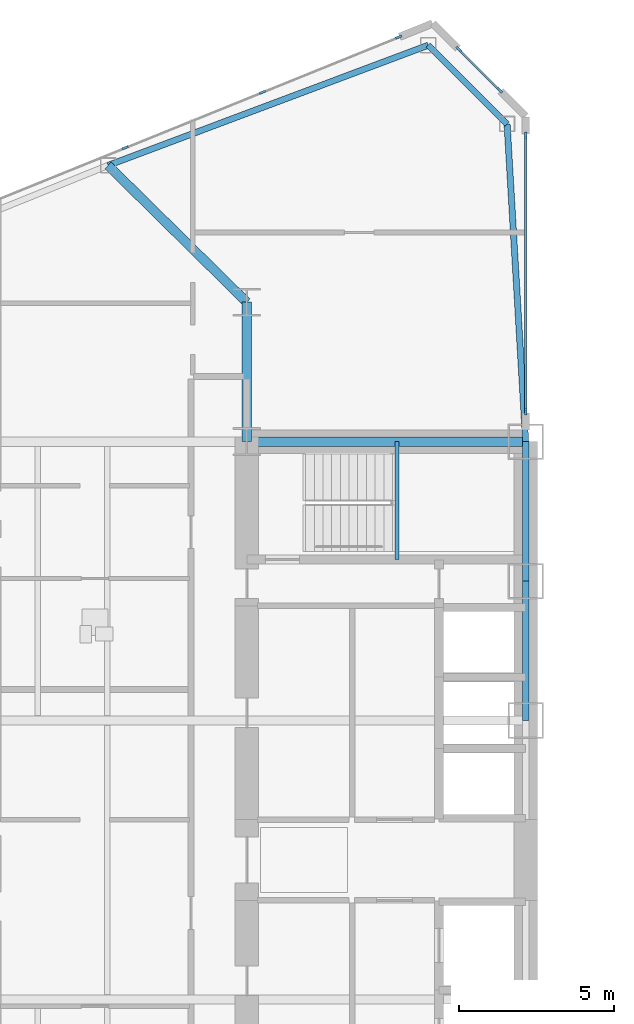
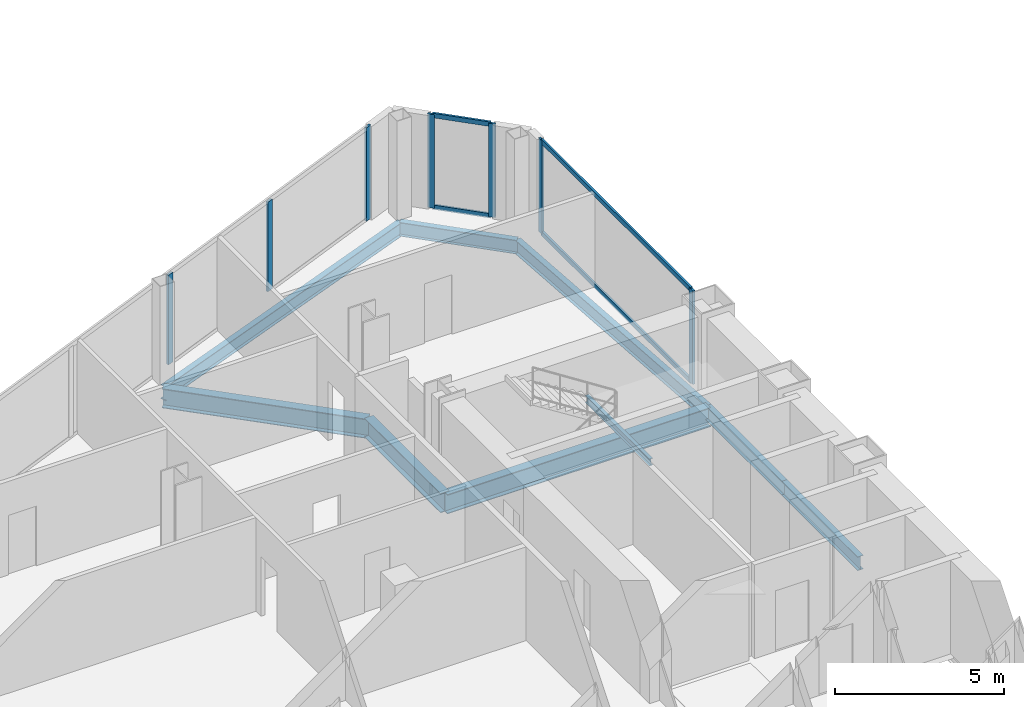
# One storey, part 8 of 25: 11 members, 9 beams, 3 elements without a shape of their own.
"""IFC4 building model written with IfcOpenShell, lengths in metres."""

from ifc_helpers import new_model, si_unit, direction, frame, origin, origin_2d, place, context, subcontext, project, spatial, rectangle, i_section, extrude, source, transform, mapped, material, layer, layer_set, material_profile, profile_set, type_object, type_shapes, element, aggregate, save


model = new_model("IFC4")

# Units and contexts
model_context = context("Model", 3, precision=1e-05, world=origin(), true_north=direction((0.0, 1.0)))
body_context = subcontext(model_context, "Body", "Model", "MODEL_VIEW")
ifc_project = project(units=[si_unit("LENGTHUNIT", "METRE"), si_unit("AREAUNIT", "SQUARE_METRE"), si_unit("VOLUMEUNIT", "CUBIC_METRE"), si_unit("PLANEANGLEUNIT", "RADIAN"), si_unit("MASSUNIT", "GRAM", prefix="KILO")], contexts=[model_context])

# Site, building, storey
site_placement = place(None, origin())
site = spatial("IfcSite", under=ifc_project, at=site_placement, CompositionType="ELEMENT")
building_placement = place(site_placement, origin())
building = spatial("IfcBuilding", under=site, at=building_placement, Name="Seokmaru Belvedere", CompositionType="ELEMENT")
storey_placement = place(building_placement, frame((0.0, 0.0, 44.10009765625)))
storey = spatial("IfcBuildingStorey", under=building, at=storey_placement, Name="L11", CompositionType="ELEMENT", Elevation=44.10009765625)

# Beams
ifc_material_1 = material(Name="Steel SM355 (355 MPa)", Category="steel")
ifc_material_profile_1 = material_profile(ifc_material_1, i_section(OverallWidth=0.199951171875, OverallDepth=0.5, WebThickness=0.010009765625, FlangeThickness=0.01611328125, at=origin_2d()), Name="H-500x200x10x16")
ifc_profile_set_1 = profile_set([ifc_material_profile_1], Name="Steel SM355 (355 MPa)")
beam_type_1 = type_object("IfcBeamType", Name="Perimeter Spandrel Beam H-500", PredefinedType="SPANDREL", material=ifc_profile_set_1)
shared_shape_1 = source(origin(), body_context, "Body", "SweptSolid", [
    extrude(i_section(OverallWidth=0.199951171875, OverallDepth=0.5, WebThickness=0.010009765625, FlangeThickness=0.01611328125, at=origin_2d()), origin(), (0.0, 0.0, 1.0), 4.5),
])
for number, where, z_axis, x_axis, name in (
    (1, (-27.5, 4.5, -0.47021484375), (0.0, 1.0, 0.0), (-1.0, 0.0, 0.0), "L11 W Portal Spine Spandrel 4"),
    (2, (-27.5, 9.0, -0.47021484375), (0.0, 1.0, 0.0), (-1.0, 0.0, 0.0), "L11 W Portal Spine Spandrel 5"),
):
    element("IfcBeam", number, at=place(storey_placement, frame(where, z_axis=z_axis, x_axis=x_axis)), inside=storey, type_object=beam_type_1, Name=name, PredefinedType="SPANDREL", context=body_context, shape_type="MappedRepresentation", body=[
        mapped(shared_shape_1, transform((0.0, 0.0, 0.0), scale=1.0)),
    ])
ifc_material_profile_2 = material_profile(ifc_material_1, i_section(OverallWidth=0.300048828125, OverallDepth=0.699951171875, WebThickness=0.012939453125, FlangeThickness=0.02392578125, at=origin_2d()), Name="H-700x300x13x24")
ifc_profile_set_2 = profile_set([ifc_material_profile_2], Name="Steel SM355 (355 MPa)")
beam_type_2 = type_object("IfcBeamType", Name="Primary Floor Girder H-700", PredefinedType="BEAM", material=ifc_profile_set_2)
shared_shape_2 = source(origin(), body_context, "Body", "SweptSolid", [
    extrude(i_section(OverallWidth=0.300048828125, OverallDepth=0.699951171875, WebThickness=0.012939453125, FlangeThickness=0.02392578125, at=origin_2d()), origin(), (0.0, 0.0, 1.0), 4.5),
])
beam_1_placement = place(storey_placement, frame((-36.5, 13.5, -0.570068359375), z_axis=(0.0, 1.0, 0.0), x_axis=(-1.0, 0.0, 0.0)))
element("IfcBeam", 3, at=beam_1_placement, inside=storey, type_object=beam_type_2, Name="L11 W Core Shoulder Girder N", PredefinedType="BEAM", context=body_context, shape_type="MappedRepresentation", body=[
    mapped(shared_shape_2, transform((0.0, 0.0, 0.0), scale=1.0)),
])
shared_shape_3 = source(origin(), body_context, "Body", "SweptSolid", [
    extrude(i_section(OverallWidth=0.300048828125, OverallDepth=0.699951171875, WebThickness=0.012939453125, FlangeThickness=0.02392578125, at=origin_2d()), origin(), (0.0, 0.0, 1.0), 9.0),
])
beam_2_placement = place(storey_placement, frame((-36.5, 13.5, -0.570068359375), z_axis=(1.0, 0.0, 0.0), x_axis=(0.0, 1.0, 0.0)))
element("IfcBeam", 4, at=beam_2_placement, inside=storey, type_object=beam_type_2, Name="L11 W Core Tie Girder 4", PredefinedType="BEAM", context=body_context, shape_type="MappedRepresentation", body=[
    mapped(shared_shape_3, transform((0.0, 0.0, 0.0), scale=1.0)),
])
shared_shape_4 = source(origin(), body_context, "Body", "SweptSolid", [
    extrude(i_section(OverallWidth=0.199951171875, OverallDepth=0.5, WebThickness=0.010009765625, FlangeThickness=0.01611328125, at=origin_2d()), origin(), (0.0, 0.0, 1.0), 11.03857421875),
])
beam_3_placement = place(storey_placement, frame((-30.643310546875, 26.294677734375, -0.47021484375), z_axis=(-0.936169110734, -0.351549990907, 0.0), x_axis=(0.351549990907, -0.936169110734, 0.0)))
element("IfcBeam", 5, at=beam_3_placement, inside=storey, type_object=beam_type_1, Name="L11 W Faceted Flank Spandrel N-1", PredefinedType="SPANDREL", context=body_context, shape_type="MappedRepresentation", body=[
    mapped(shared_shape_4, transform((0.0, 0.0, 0.0), scale=1.0)),
])
shared_shape_5 = source(origin(), body_context, "Body", "SweptSolid", [
    extrude(i_section(OverallWidth=0.199951171875, OverallDepth=0.5, WebThickness=0.010009765625, FlangeThickness=0.01611328125, at=origin_2d()), origin(), (0.0, 0.0, 1.0), 3.5966796875),
])
beam_4_placement = place(storey_placement, frame((-30.643310546875, 26.294677734375, -0.47021484375), z_axis=(0.707106781187, -0.707106781187, 0.0), x_axis=(0.707106781187, 0.707106781187, 0.0)))
element("IfcBeam", 6, at=beam_4_placement, inside=storey, type_object=beam_type_1, Name="L11 W Shoulder Chamfer Spandrel N", PredefinedType="SPANDREL", context=body_context, shape_type="MappedRepresentation", body=[
    mapped(shared_shape_5, transform((0.0, 0.0, 0.0), scale=1.0)),
])
shared_shape_6 = source(origin(), body_context, "Body", "SweptSolid", [
    extrude(i_section(OverallWidth=0.199951171875, OverallDepth=0.5, WebThickness=0.010009765625, FlangeThickness=0.01611328125, at=origin_2d()), origin(), (0.0, 0.0, 1.0), 10.26904296875),
])
type_shapes(beam_type_1, [shared_shape_1, shared_shape_4, shared_shape_5, shared_shape_6])
beam_5_placement = place(storey_placement, frame((-28.10009765625, 23.75146484375, -0.47021484375), z_axis=(0.058437709399, -0.998291056817, 0.0), x_axis=(0.998291056817, 0.058437709399, 0.0)))
element("IfcBeam", 7, at=beam_5_placement, inside=storey, type_object=beam_type_1, Name="L11 W Shoulder Spine Spandrel N", PredefinedType="SPANDREL", context=body_context, shape_type="MappedRepresentation", body=[
    mapped(shared_shape_6, transform((0.0, 0.0, 0.0), scale=1.0)),
])
shared_shape_7 = source(origin(), body_context, "Body", "SweptSolid", [
    extrude(i_section(OverallWidth=0.300048828125, OverallDepth=0.699951171875, WebThickness=0.012939453125, FlangeThickness=0.02392578125, at=origin_2d()), origin(), (0.0, 0.0, 1.0), 6.287353515625),
])
type_shapes(beam_type_2, [shared_shape_2, shared_shape_3, shared_shape_7])
beam_6_placement = place(storey_placement, frame((-40.977294921875, 22.4140625, -0.570068359375), z_axis=(0.712117485263, -0.702060315915, 0.0), x_axis=(0.702060315915, 0.712117485263, 0.0)))
element("IfcBeam", 8, at=beam_6_placement, inside=storey, type_object=beam_type_2, Name="L11 W Flank Radial Floor Girder N-1", PredefinedType="BEAM", context=body_context, shape_type="MappedRepresentation", body=[
    mapped(shared_shape_7, transform((0.0, 0.0, 0.0), scale=1.0)),
])

# Curtain wall, members
ifc_material_2 = material(Name="Bronze Triple Insulating Glass", Category="glass")
ifc_layer = layer(ifc_material_2, 0.2099609375)
ifc_layer_set = layer_set([ifc_layer], Name="Bronze Triple Insulating Glass")
curtain_wall_type = type_object("IfcCurtainWallType", Name="Low-Rise Faceted Crystal Curtain Wall System CW-2", PredefinedType="NOTDEFINED", material=ifc_layer_set)
curtain_wall_1_placement = place(storey_placement, origin())
curtain_wall_1 = element("IfcCurtainWall", 9, at=curtain_wall_1_placement, inside=storey, type_object=curtain_wall_type, Name="L11 Curtain Wall WSP_2", PredefinedType="NOTDEFINED")
ifc_material_3 = material(Name="Anodised Bronze Aluminium", Category="aluminium")
ifc_material_profile_3 = material_profile(ifc_material_3, rectangle(XDim=0.070068359375, YDim=0.1650390625, at=origin_2d()), Name="CW-T-70x165")
ifc_profile_set_3 = profile_set([ifc_material_profile_3], Name="Anodised Bronze Aluminium")
member_type_1 = type_object("IfcMemberType", Name="Bronze Unitised Transom 70x165", PredefinedType="USERDEFINED", material=ifc_profile_set_3)
shared_shape_8 = source(origin(), body_context, "Body", "SweptSolid", [
    extrude(rectangle(XDim=0.070068359375, YDim=0.1650390625, at=origin_2d()), origin(), (0.0, 0.0, 1.0), 8.85009765625),
])
member_1_placement = place(storey_placement, frame((-27.5, 14.5048828125, 0.034912109375), z_axis=(0.0, 1.0, 0.0), x_axis=(-1.0, 0.0, 0.0)))
member_1 = element("IfcMember", 10, at=member_1_placement, type_object=member_type_1, Name="CW:L11:WSP_2 Continuous Transom 1", ObjectType="TRANSOM", PredefinedType="USERDEFINED", context=body_context, shape_type="MappedRepresentation", body=[
    mapped(shared_shape_8, transform((0.0, 0.0, 0.0), scale=1.0)),
])
member_2_placement = place(storey_placement, frame((-27.5, 14.5048828125, 3.344970703125), z_axis=(0.0, 1.0, 0.0), x_axis=(-1.0, 0.0, 0.0)))
member_2 = element("IfcMember", 11, at=member_2_placement, type_object=member_type_1, Name="CW:L11:WSP_2 Continuous Transom 2", ObjectType="TRANSOM", PredefinedType="USERDEFINED", context=body_context, shape_type="MappedRepresentation", body=[
    mapped(shared_shape_8, transform((0.0, 0.0, 0.0), scale=1.0)),
])

curtain_wall_2_placement = place(storey_placement, origin())
curtain_wall_2 = element("IfcCurtainWall", 12, at=curtain_wall_2_placement, inside=storey, type_object=curtain_wall_type, Name="L11 Curtain Wall WF2", PredefinedType="NOTDEFINED")
shared_shape_9 = source(origin(), body_context, "Body", "SweptSolid", [
    extrude(rectangle(XDim=0.070068359375, YDim=0.1650390625, at=origin_2d()), origin(), (0.0, 0.0, 1.0), 1.792724609375),
])
type_shapes(member_type_1, [shared_shape_8, shared_shape_9])
member_3_placement = place(storey_placement, frame((-28.3662109375, 24.8662109375, 0.034912109375), z_axis=(-0.707106781187, 0.707106781187, 0.0), x_axis=(-0.707106781187, -0.707106781187, 0.0)))
member_3 = element("IfcMember", 13, at=member_3_placement, type_object=member_type_1, Name="CW:L11:WF2 Continuous Transom 1", ObjectType="TRANSOM", PredefinedType="USERDEFINED", context=body_context, shape_type="MappedRepresentation", body=[
    mapped(shared_shape_9, transform((0.0, 0.0, 0.0), scale=1.0)),
])
member_4_placement = place(storey_placement, frame((-28.3662109375, 24.8662109375, 3.344970703125), z_axis=(-0.707106781187, 0.707106781187, 0.0), x_axis=(-0.707106781187, -0.707106781187, 0.0)))
member_4 = element("IfcMember", 14, at=member_4_placement, type_object=member_type_1, Name="CW:L11:WF2 Continuous Transom 2", ObjectType="TRANSOM", PredefinedType="USERDEFINED", context=body_context, shape_type="MappedRepresentation", body=[
    mapped(shared_shape_9, transform((0.0, 0.0, 0.0), scale=1.0)),
])

curtain_wall_3_placement = place(storey_placement, origin())
curtain_wall_3 = element("IfcCurtainWall", 15, at=curtain_wall_3_placement, inside=storey, type_object=curtain_wall_type, Name="L11 Curtain Wall WF3", PredefinedType="NOTDEFINED")
ifc_material_profile_4 = material_profile(ifc_material_3, rectangle(XDim=0.074951171875, YDim=0.2099609375, at=origin_2d()), Name="CW-M-75x210")
ifc_profile_set_4 = profile_set([ifc_material_profile_4], Name="Anodised Bronze Aluminium")
member_type_2 = type_object("IfcMemberType", Name="Bronze Unitised Mullion 75x210", PredefinedType="MULLION", material=ifc_profile_set_4)
shared_shape_10 = source(origin(), body_context, "Body", "SweptSolid", [
    extrude(rectangle(XDim=0.074951171875, YDim=0.2099609375, at=origin_2d()), origin(), (0.0, 0.0, 1.0), 3.239990234375),
])
member_5_placement = place(storey_placement, frame((-35.995849609375, 24.775390625, 0.06982421875), z_axis=(0.0, 0.0, 1.0), x_axis=(0.375192321888, -0.926946989637, 0.0)))
member_5 = element("IfcMember", 16, at=member_5_placement, type_object=member_type_2, Name="CW:L11:WF3 Mullion 2", PredefinedType="MULLION", context=body_context, shape_type="MappedRepresentation", body=[
    mapped(shared_shape_10, transform((0.0, 0.0, 0.0), scale=1.0)),
])
member_6_placement = place(storey_placement, frame((-40.425537109375, 22.982421875, 0.06982421875), z_axis=(0.0, 0.0, 1.0), x_axis=(0.375192321888, -0.926946989637, 0.0)))
member_6 = element("IfcMember", 17, at=member_6_placement, type_object=member_type_2, Name="CW:L11:WF3 Mullion 3", PredefinedType="MULLION", context=body_context, shape_type="MappedRepresentation", body=[
    mapped(shared_shape_10, transform((0.0, 0.0, 0.0), scale=1.0)),
])

# Member
shared_shape_11 = source(origin(), body_context, "Body", "SweptSolid", [
    extrude(rectangle(XDim=0.074951171875, YDim=0.2099609375, at=origin_2d()), origin(), (0.0, 0.0, 1.0), 3.3798828125),
])
type_shapes(member_type_2, [shared_shape_10, shared_shape_11])
member_7_placement = place(storey_placement, frame((-27.5, 14.467529296875, 0.0), z_axis=(0.0, 0.0, 1.0), x_axis=(-1.0, 0.0, 0.0)))
member_7 = element("IfcMember", 18, at=member_7_placement, type_object=member_type_2, Name="CW:L11:WSP_2 Mullion 1", PredefinedType="MULLION", context=body_context, shape_type="MappedRepresentation", body=[
    mapped(shared_shape_11, transform((0.0, 0.0, 0.0), scale=1.0)),
])

member_8_placement = place(storey_placement, frame((-27.5, 23.392578125, 0.0), z_axis=(0.0, 0.0, 1.0), x_axis=(-1.0, 0.0, 0.0)))
member_8 = element("IfcMember", 19, at=member_8_placement, type_object=member_type_2, Name="CW:L11:WSP_2 Mullion 2", PredefinedType="MULLION", context=body_context, shape_type="MappedRepresentation", body=[
    mapped(shared_shape_11, transform((0.0, 0.0, 0.0), scale=1.0)),
])

aggregate(curtain_wall_1, [member_7, member_8, member_1, member_2])

member_9_placement = place(storey_placement, frame((-28.339599609375, 24.839599609375, 0.0), z_axis=(0.0, 0.0, 1.0), x_axis=(-0.707106781187, -0.707106781187, 0.0)))
member_9 = element("IfcMember", 20, at=member_9_placement, type_object=member_type_2, Name="CW:L11:WF2 Mullion 1", PredefinedType="MULLION", context=body_context, shape_type="MappedRepresentation", body=[
    mapped(shared_shape_11, transform((0.0, 0.0, 0.0), scale=1.0)),
])

member_10_placement = place(storey_placement, frame((-29.660400390625, 26.160400390625, 0.0), z_axis=(0.0, 0.0, 1.0), x_axis=(-0.707106781187, -0.707106781187, 0.0)))
member_10 = element("IfcMember", 21, at=member_10_placement, type_object=member_type_2, Name="CW:L11:WF2 Mullion 2", PredefinedType="MULLION", context=body_context, shape_type="MappedRepresentation", body=[
    mapped(shared_shape_11, transform((0.0, 0.0, 0.0), scale=1.0)),
])

aggregate(curtain_wall_2, [member_9, member_10, member_3, member_4])

member_11_placement = place(storey_placement, frame((-31.600830078125, 26.554443359375, 0.0), z_axis=(0.0, 0.0, 1.0), x_axis=(0.375192321888, -0.926946989637, 0.0)))
member_11 = element("IfcMember", 22, at=member_11_placement, type_object=member_type_2, Name="CW:L11:WF3 Mullion 1", PredefinedType="MULLION", context=body_context, shape_type="MappedRepresentation", body=[
    mapped(shared_shape_11, transform((0.0, 0.0, 0.0), scale=1.0)),
])

aggregate(curtain_wall_3, [member_11, member_5, member_6])

# Beam
ifc_material_profile_5 = material_profile(ifc_material_1, i_section(OverallWidth=0.125, OverallDepth=0.25, WebThickness=0.006103515625, FlangeThickness=0.009033203125, at=origin_2d()), Name="H-250x125x6x9")
ifc_profile_set_5 = profile_set([ifc_material_profile_5], Name="Steel SM355 (355 MPa)")
beam_type_3 = type_object("IfcBeamType", Name="Stair Mid-Landing Support Beam H-250", PredefinedType="JOIST", material=ifc_profile_set_5)
shared_shape_12 = source(origin(), body_context, "Body", "SweptSolid", [
    extrude(i_section(OverallWidth=0.125, OverallDepth=0.25, WebThickness=0.006103515625, FlangeThickness=0.009033203125, at=origin_2d()), origin(), (0.0, 0.0, 1.0), 3.800048828125),
])
type_shapes(beam_type_3, [shared_shape_12])
beam_7_placement = place(storey_placement, frame((-31.64990234375, 9.699951171875, 1.474853515625), z_axis=(0.0, 1.0, 0.0), x_axis=(-1.0, 0.0, 0.0)))
element("IfcBeam", 23, at=beam_7_placement, inside=storey, type_object=beam_type_3, Name="L11 Stair ST-W2 Mid-Landing Support Beam 1", PredefinedType="JOIST", context=body_context, shape_type="MappedRepresentation", body=[
    mapped(shared_shape_12, transform((0.0, 0.0, 0.0), scale=1.0)),
])

save(model, "model.ifc")
